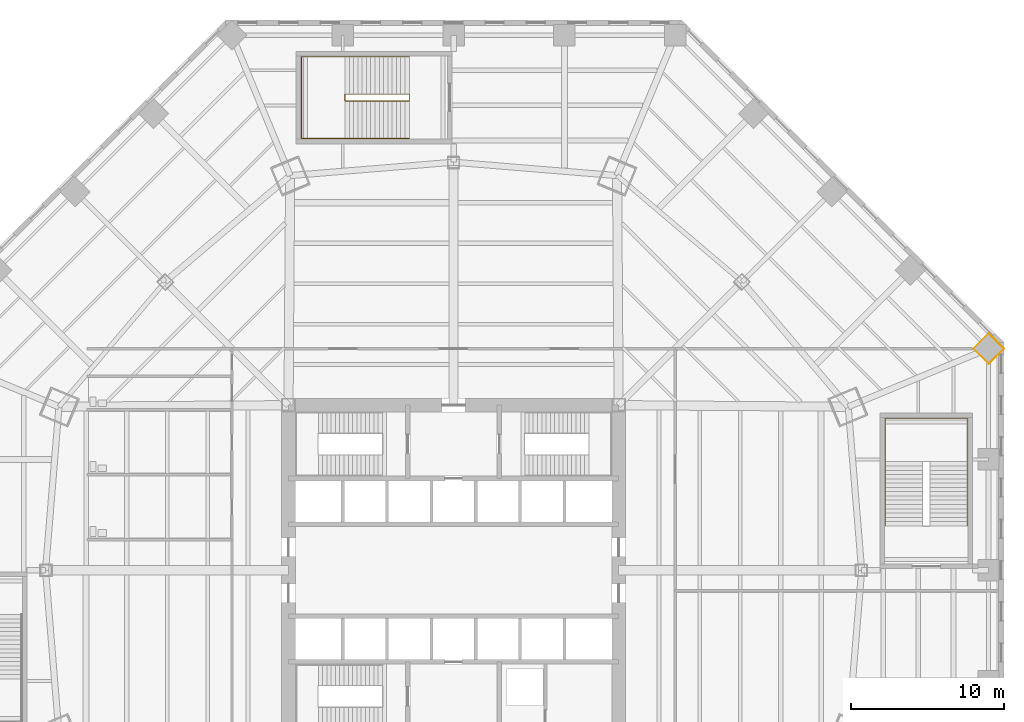
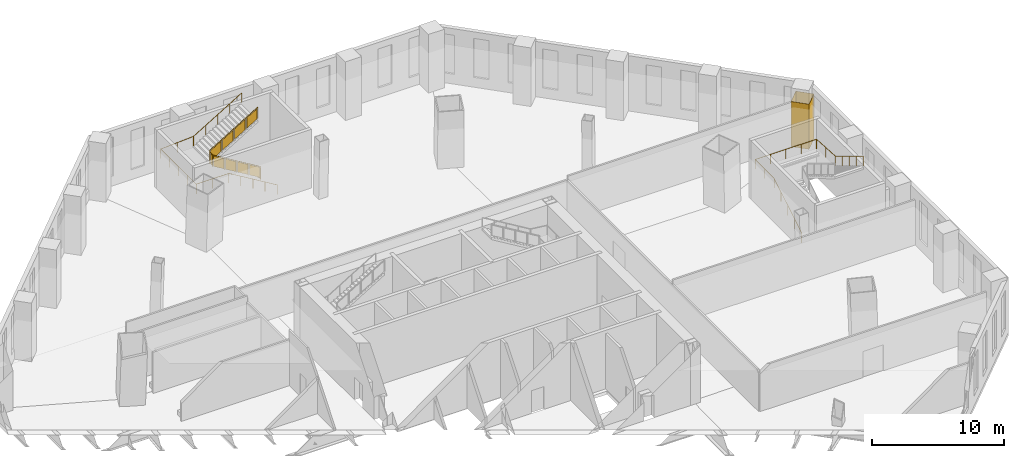
# One storey, part 17 of 18: 3 railings, 1 covering.
"""IFC4 building model written with IfcOpenShell, lengths in metres."""

from ifc_helpers import new_model, si_unit, direction, frame, origin, origin_2d, place, context, subcontext, project, spatial, polyline, circle, outline, extrude, material, layer, layer_set, type_object, element, save


model = new_model("IFC4")

# Units and contexts
model_context = context("Model", 3, precision=1e-05, world=origin(), true_north=direction((0.0, 1.0)))
body_context = subcontext(model_context, "Body", "Model", "MODEL_VIEW")
ifc_project = project(units=[si_unit("LENGTHUNIT", "METRE"), si_unit("AREAUNIT", "SQUARE_METRE"), si_unit("VOLUMEUNIT", "CUBIC_METRE"), si_unit("PLANEANGLEUNIT", "RADIAN"), si_unit("MASSUNIT", "GRAM", prefix="KILO")], contexts=[model_context])

# Site, building, storey
site_placement = place(None, origin())
site = spatial("IfcSite", under=ifc_project, at=site_placement, CompositionType="ELEMENT")
building_placement = place(site_placement, origin())
building = spatial("IfcBuilding", under=site, at=building_placement, Name="Mashrafa Tower", CompositionType="ELEMENT")
storey_placement = place(building_placement, frame((0.0, 0.0, 18.60009765625)))
storey = spatial("IfcBuildingStorey", under=building, at=storey_placement, Name="L03", CompositionType="ELEMENT", Elevation=18.60009765625)

# Covering
ifc_material_1 = material(Name="Gypsum board")
ifc_layer = layer(ifc_material_1, 0.014892578125)
ifc_layer_set = layer_set([ifc_layer], Name="Column casing plasterboard 15")
covering_type = type_object("IfcCoveringType", Name="Column casing plasterboard 15", PredefinedType="CLADDING", material=ifc_layer_set)
covering_placement = place(storey_placement, origin())
element("IfcCovering", 1, at=covering_placement, inside=storey, type_object=covering_type, Name="Column casing L03-001", PredefinedType="CLADDING", context=body_context, shape_type="SweptSolid", body=[
    extrude(outline(polyline([(33.98876953125, 14.49755859375), (35.0, 15.508544921875), (36.01123046875, 14.49755859375), (35.0, 13.486328125), (33.98876953125, 14.49755859375)]), holes=[polyline([(35.989990234375, 14.49755859375), (35.0, 15.4873046875), (34.010009765625, 14.49755859375), (35.0, 13.507568359375), (35.989990234375, 14.49755859375)])]), origin(), (0.0, 0.0, 1.0), 4.162841796875),
])

# Railings
ifc_material_2 = material(Name="Steel guard with glass infill", Category="steel")
railing_type_1 = type_object("IfcRailingType", Name="Stair guard 1100", PredefinedType="GUARDRAIL", material=ifc_material_2)
railing_1_placement = place(storey_placement, frame((-2.89990234375, 31.14990234375, 0.0)))
element("IfcRailing", 2, at=railing_1_placement, inside=storey, type_object=railing_type_1, Name="Stair P2 guard L03", PredefinedType="GUARDRAIL", context=body_context, shape_type="SweptSolid", body=[
    extrude(circle(Radius=0.02392578125, at=origin_2d()), frame((0.0, 0.0, 1.076171875), z_axis=(0.0, -1.0, 0.0), x_axis=(1.0, 0.0, 0.0)), (0.0, 0.0, 1.0), 0.449951171875),
    extrude(circle(Radius=0.02392578125, at=origin_2d()), frame((0.0, -0.449951171875, 1.076171875), z_axis=(0.0, 0.0, 1.0), x_axis=(1.0, 0.0, 0.0)), (0.0, 0.0, 1.0), 0.168701171875),
    extrude(circle(Radius=0.02392578125, at=origin_2d()), frame((0.0, -0.449951171875, 1.24462890625), z_axis=(-0.856489757249, 0.0, 0.516164020179), x_axis=(0.0, -1.0, 0.0)), (0.0, 0.0, 1.0), 4.904052734375),
    extrude(circle(Radius=0.02392578125, at=origin_2d()), frame((-4.2001953125, -0.449951171875, 3.77587890625), z_axis=(0.0, 1.0, 0.0), x_axis=(-1.0, 0.0, 0.0)), (0.0, 0.0, 1.0), 0.449951171875),
    extrude(circle(Radius=0.02392578125, at=origin_2d()), frame((-4.2001953125, 0.0, 3.77587890625), z_axis=(0.0, 0.0, 1.0), x_axis=(1.0, 0.0, 0.0)), (0.0, 0.0, 1.0), 0.168701171875),
    extrude(circle(Radius=0.02392578125, at=origin_2d()), frame((-4.2001953125, 0.0, 3.94482421875), z_axis=(0.856489757249, 0.0, 0.516164020179), x_axis=(0.0, 1.0, 0.0)), (0.0, 0.0, 1.0), 4.904052734375),
    extrude(circle(Radius=0.02099609375, at=origin_2d()), origin(), (0.0, 0.0, 1.0), 1.052001953125),
    extrude(circle(Radius=0.02099609375, at=origin_2d()), frame((0.0, -0.449951171875, 0.0)), (0.0, 0.0, 1.0), 1.052001953125),
    extrude(circle(Radius=0.02099609375, at=origin_2d()), frame((0.0, -0.449951171875, 0.168701171875)), (0.0, 0.0, 1.0), 1.052001953125),
    extrude(circle(Radius=0.02099609375, at=origin_2d()), frame((-1.050048828125, -0.449951171875, 0.801513671875)), (0.0, 0.0, 1.0), 1.052001953125),
    extrude(circle(Radius=0.02099609375, at=origin_2d()), frame((-2.10009765625, -0.449951171875, 1.434326171875)), (0.0, 0.0, 1.0), 1.052001953125),
    extrude(circle(Radius=0.02099609375, at=origin_2d()), frame((-3.150146484375, -0.449951171875, 2.067138671875)), (0.0, 0.0, 1.0), 1.052001953125),
    extrude(circle(Radius=0.02099609375, at=origin_2d()), frame((-4.2001953125, -0.449951171875, 2.699951171875)), (0.0, 0.0, 1.0), 1.052001953125),
    extrude(circle(Radius=0.02099609375, at=origin_2d()), frame((-4.2001953125, 0.0, 2.699951171875)), (0.0, 0.0, 1.0), 1.052001953125),
    extrude(circle(Radius=0.02099609375, at=origin_2d()), frame((-4.2001953125, 0.0, 2.86865234375)), (0.0, 0.0, 1.0), 1.052001953125),
    extrude(circle(Radius=0.02099609375, at=origin_2d()), frame((-3.150146484375, 0.0, 3.50146484375)), (0.0, 0.0, 1.0), 1.052001953125),
    extrude(circle(Radius=0.02099609375, at=origin_2d()), frame((-2.10009765625, 0.0, 4.13427734375)), (0.0, 0.0, 1.0), 1.052001953125),
    extrude(circle(Radius=0.02099609375, at=origin_2d()), frame((-1.050048828125, 0.0, 4.76708984375)), (0.0, 0.0, 1.0), 1.052001953125),
    extrude(circle(Radius=0.02099609375, at=origin_2d()), frame((0.0, 0.0, 5.39990234375)), (0.0, 0.0, 1.0), 1.052001953125),
    extrude(outline(polyline([(0.071044921875, 0.050048828125), (0.37890625, 0.050048828125), (0.37890625, 1.001953125), (0.071044921875, 1.001953125), (0.071044921875, 0.050048828125)])), frame((-0.006103515625, 0.0, 0.0), z_axis=(-1.0, 0.0, 0.0), x_axis=(0.0, -1.0, 0.0)), (0.0, 0.0, 1.0), 0.011962890625),
    extrude(outline(polyline([(0.071044921875, 0.0927734375), (0.97900390625, 0.64013671875), (0.97900390625, 1.592041015625), (0.071044921875, 1.044677734375), (0.071044921875, 0.0927734375)])), frame((0.0, -0.44384765625, 0.168701171875), z_axis=(0.0, 1.0, 0.0), x_axis=(-1.0, 0.0, 0.0)), (0.0, 0.0, 1.0), 0.011962890625),
    extrude(outline(polyline([(1.12109375, 0.7255859375), (2.029052734375, 1.27294921875), (2.029052734375, 2.224853515625), (1.12109375, 1.677490234375), (1.12109375, 0.7255859375)])), frame((0.0, -0.44384765625, 0.168701171875), z_axis=(0.0, 1.0, 0.0), x_axis=(-1.0, 0.0, 0.0)), (0.0, 0.0, 1.0), 0.011962890625),
    extrude(outline(polyline([(2.171142578125, 1.3583984375), (3.0791015625, 1.90576171875), (3.0791015625, 2.857666015625), (2.171142578125, 2.310302734375), (2.171142578125, 1.3583984375)])), frame((0.0, -0.44384765625, 0.168701171875), z_axis=(0.0, 1.0, 0.0), x_axis=(-1.0, 0.0, 0.0)), (0.0, 0.0, 1.0), 0.011962890625),
    extrude(outline(polyline([(3.22119140625, 1.9912109375), (4.129150390625, 2.53857421875), (4.129150390625, 3.490478515625), (3.22119140625, 2.943115234375), (3.22119140625, 1.9912109375)])), frame((0.0, -0.44384765625, 0.168701171875), z_axis=(0.0, 1.0, 0.0), x_axis=(-1.0, 0.0, 0.0)), (0.0, 0.0, 1.0), 0.011962890625),
    extrude(outline(polyline([(0.071044921875, 0.050048828125), (0.37890625, 0.050048828125), (0.37890625, 1.001953125), (0.071044921875, 1.001953125), (0.071044921875, 0.050048828125)])), frame((-4.194091796875, -0.449951171875, 2.699951171875), z_axis=(1.0, 0.0, 0.0), x_axis=(0.0, 1.0, 0.0)), (0.0, 0.0, 1.0), 0.011962890625),
    extrude(outline(polyline([(0.071044921875, 0.0927734375), (0.97900390625, 0.64013671875), (0.97900390625, 1.592041015625), (0.071044921875, 1.044677734375), (0.071044921875, 0.0927734375)])), frame((-4.2001953125, -0.006103515625, 2.86865234375), z_axis=(0.0, -1.0, 0.0), x_axis=(1.0, 0.0, 0.0)), (0.0, 0.0, 1.0), 0.011962890625),
    extrude(outline(polyline([(1.12109375, 0.7255859375), (2.029052734375, 1.27294921875), (2.029052734375, 2.224853515625), (1.12109375, 1.677490234375), (1.12109375, 0.7255859375)])), frame((-4.2001953125, -0.006103515625, 2.86865234375), z_axis=(0.0, -1.0, 0.0), x_axis=(1.0, 0.0, 0.0)), (0.0, 0.0, 1.0), 0.011962890625),
    extrude(outline(polyline([(2.171142578125, 1.3583984375), (3.0791015625, 1.90576171875), (3.0791015625, 2.857666015625), (2.171142578125, 2.310302734375), (2.171142578125, 1.3583984375)])), frame((-4.2001953125, -0.006103515625, 2.86865234375), z_axis=(0.0, -1.0, 0.0), x_axis=(1.0, 0.0, 0.0)), (0.0, 0.0, 1.0), 0.011962890625),
    extrude(outline(polyline([(3.22119140625, 1.9912109375), (4.129150390625, 2.53857421875), (4.129150390625, 3.490478515625), (3.22119140625, 2.943115234375), (3.22119140625, 1.9912109375)])), frame((-4.2001953125, -0.006103515625, 2.86865234375), z_axis=(0.0, -1.0, 0.0), x_axis=(1.0, 0.0, 0.0)), (0.0, 0.0, 1.0), 0.011962890625),
])
ifc_material_3 = material(Name="Steel", Category="steel")
railing_type_2 = type_object("IfcRailingType", Name="Stair handrail 900", PredefinedType="HANDRAIL", material=ifc_material_3)
railing_2_placement = place(storey_placement, frame((28.25, 2.89990234375, 0.168701171875)))
element("IfcRailing", 3, at=railing_2_placement, inside=storey, type_object=railing_type_2, Name="Stair P1 handrail L03", PredefinedType="HANDRAIL", context=body_context, shape_type="SweptSolid", body=[
    extrude(circle(Radius=0.02392578125, at=origin_2d()), frame((0.0, 0.0, 0.8759765625), z_axis=(0.0, 0.856489757249, 0.516164020179), x_axis=(-1.0, 0.0, 0.0)), (0.0, 0.0, 1.0), 4.904052734375),
    extrude(circle(Radius=0.02392578125, at=origin_2d()), frame((0.0, 4.2001953125, 3.4072265625), z_axis=(0.0, 1.0, 0.0), x_axis=(-1.0, 0.0, 0.0)), (0.0, 0.0, 1.0), 2.849853515625),
    extrude(circle(Radius=0.02392578125, at=origin_2d()), frame((0.0, 7.050048828125, 3.4072265625), z_axis=(1.0, 0.0, 0.0), x_axis=(0.0, 1.0, 0.0)), (0.0, 0.0, 1.0), 5.35009765625),
    extrude(circle(Radius=0.02392578125, at=origin_2d()), frame((5.35009765625, 7.050048828125, 3.4072265625), z_axis=(0.0, -0.998252482393, 0.059092989406), x_axis=(1.0, 0.0, 0.0)), (0.0, 0.0, 1.0), 2.854736328125),
    extrude(circle(Radius=0.02392578125, at=origin_2d()), frame((5.35009765625, 4.2001953125, 3.57568359375), z_axis=(0.0, -0.856489757249, 0.516164020179), x_axis=(1.0, 0.0, 0.0)), (0.0, 0.0, 1.0), 4.904052734375),
    extrude(circle(Radius=0.02099609375, at=origin_2d()), origin(), (0.0, 0.0, 1.0), 0.851806640625),
    extrude(circle(Radius=0.02099609375, at=origin_2d()), frame((0.0, 1.050048828125, 0.6328125)), (0.0, 0.0, 1.0), 0.851806640625),
    extrude(circle(Radius=0.02099609375, at=origin_2d()), frame((0.0, 2.10009765625, 1.265625)), (0.0, 0.0, 1.0), 0.851806640625),
    extrude(circle(Radius=0.02099609375, at=origin_2d()), frame((0.0, 3.150146484375, 1.8984375)), (0.0, 0.0, 1.0), 0.851806640625),
    extrude(circle(Radius=0.02099609375, at=origin_2d()), frame((0.0, 4.2001953125, 2.53125)), (0.0, 0.0, 1.0), 0.851806640625),
    extrude(circle(Radius=0.02099609375, at=origin_2d()), frame((0.0, 5.625, 2.53125)), (0.0, 0.0, 1.0), 0.851806640625),
    extrude(circle(Radius=0.02099609375, at=origin_2d()), frame((0.0, 7.050048828125, 2.53125)), (0.0, 0.0, 1.0), 0.851806640625),
    extrude(circle(Radius=0.02099609375, at=origin_2d()), frame((1.33740234375, 7.050048828125, 2.53125)), (0.0, 0.0, 1.0), 0.851806640625),
    extrude(circle(Radius=0.02099609375, at=origin_2d()), frame((2.675048828125, 7.050048828125, 2.53125)), (0.0, 0.0, 1.0), 0.851806640625),
    extrude(circle(Radius=0.02099609375, at=origin_2d()), frame((4.0126953125, 7.050048828125, 2.53125)), (0.0, 0.0, 1.0), 0.851806640625),
    extrude(circle(Radius=0.02099609375, at=origin_2d()), frame((5.35009765625, 7.050048828125, 2.53125)), (0.0, 0.0, 1.0), 0.851806640625),
    extrude(circle(Radius=0.02099609375, at=origin_2d()), frame((5.35009765625, 5.625, 2.61572265625)), (0.0, 0.0, 1.0), 0.851806640625),
    extrude(circle(Radius=0.02099609375, at=origin_2d()), frame((5.35009765625, 4.2001953125, 2.699951171875)), (0.0, 0.0, 1.0), 0.851806640625),
    extrude(circle(Radius=0.02099609375, at=origin_2d()), frame((5.35009765625, 3.150146484375, 3.332763671875)), (0.0, 0.0, 1.0), 0.851806640625),
    extrude(circle(Radius=0.02099609375, at=origin_2d()), frame((5.35009765625, 2.10009765625, 3.965576171875)), (0.0, 0.0, 1.0), 0.851806640625),
    extrude(circle(Radius=0.02099609375, at=origin_2d()), frame((5.35009765625, 1.050048828125, 4.598388671875)), (0.0, 0.0, 1.0), 0.851806640625),
    extrude(circle(Radius=0.02099609375, at=origin_2d()), frame((5.35009765625, 0.0, 5.231201171875)), (0.0, 0.0, 1.0), 0.851806640625),
])
railing_3_placement = place(storey_placement, frame((-2.89990234375, 28.25, 0.168701171875)))
element("IfcRailing", 4, at=railing_3_placement, inside=storey, type_object=railing_type_2, Name="Stair P2 handrail L03", PredefinedType="HANDRAIL", context=body_context, shape_type="SweptSolid", body=[
    extrude(circle(Radius=0.02392578125, at=origin_2d()), frame((0.0, 0.0, 0.8759765625), z_axis=(-0.856489757249, 0.0, 0.516164020179), x_axis=(0.0, -1.0, 0.0)), (0.0, 0.0, 1.0), 4.904052734375),
    extrude(circle(Radius=0.02392578125, at=origin_2d()), frame((-4.2001953125, 0.0, 3.4072265625), z_axis=(-1.0, 0.0, 0.0), x_axis=(0.0, -1.0, 0.0)), (0.0, 0.0, 1.0), 2.849853515625),
    extrude(circle(Radius=0.02392578125, at=origin_2d()), frame((-7.050048828125, 0.0, 3.4072265625), z_axis=(0.0, 1.0, 0.0), x_axis=(-1.0, 0.0, 0.0)), (0.0, 0.0, 1.0), 5.35009765625),
    extrude(circle(Radius=0.02392578125, at=origin_2d()), frame((-7.050048828125, 5.35009765625, 3.4072265625), z_axis=(0.998252482393, 0.0, 0.059092989406), x_axis=(0.0, 1.0, 0.0)), (0.0, 0.0, 1.0), 2.854736328125),
    extrude(circle(Radius=0.02392578125, at=origin_2d()), frame((-4.2001953125, 5.35009765625, 3.57568359375), z_axis=(0.856489757249, 0.0, 0.516164020179), x_axis=(0.0, 1.0, 0.0)), (0.0, 0.0, 1.0), 4.904052734375),
    extrude(circle(Radius=0.02099609375, at=origin_2d()), origin(), (0.0, 0.0, 1.0), 0.851806640625),
    extrude(circle(Radius=0.02099609375, at=origin_2d()), frame((-1.050048828125, 0.0, 0.6328125)), (0.0, 0.0, 1.0), 0.851806640625),
    extrude(circle(Radius=0.02099609375, at=origin_2d()), frame((-2.10009765625, 0.0, 1.265625)), (0.0, 0.0, 1.0), 0.851806640625),
    extrude(circle(Radius=0.02099609375, at=origin_2d()), frame((-3.150146484375, 0.0, 1.8984375)), (0.0, 0.0, 1.0), 0.851806640625),
    extrude(circle(Radius=0.02099609375, at=origin_2d()), frame((-4.2001953125, 0.0, 2.53125)), (0.0, 0.0, 1.0), 0.851806640625),
    extrude(circle(Radius=0.02099609375, at=origin_2d()), frame((-5.625, 0.0, 2.53125)), (0.0, 0.0, 1.0), 0.851806640625),
    extrude(circle(Radius=0.02099609375, at=origin_2d()), frame((-7.050048828125, 0.0, 2.53125)), (0.0, 0.0, 1.0), 0.851806640625),
    extrude(circle(Radius=0.02099609375, at=origin_2d()), frame((-7.050048828125, 1.33740234375, 2.53125)), (0.0, 0.0, 1.0), 0.851806640625),
    extrude(circle(Radius=0.02099609375, at=origin_2d()), frame((-7.050048828125, 2.675048828125, 2.53125)), (0.0, 0.0, 1.0), 0.851806640625),
    extrude(circle(Radius=0.02099609375, at=origin_2d()), frame((-7.050048828125, 4.0126953125, 2.53125)), (0.0, 0.0, 1.0), 0.851806640625),
    extrude(circle(Radius=0.02099609375, at=origin_2d()), frame((-7.050048828125, 5.35009765625, 2.53125)), (0.0, 0.0, 1.0), 0.851806640625),
    extrude(circle(Radius=0.02099609375, at=origin_2d()), frame((-5.625, 5.35009765625, 2.61572265625)), (0.0, 0.0, 1.0), 0.851806640625),
    extrude(circle(Radius=0.02099609375, at=origin_2d()), frame((-4.2001953125, 5.35009765625, 2.699951171875)), (0.0, 0.0, 1.0), 0.851806640625),
    extrude(circle(Radius=0.02099609375, at=origin_2d()), frame((-3.150146484375, 5.35009765625, 3.332763671875)), (0.0, 0.0, 1.0), 0.851806640625),
    extrude(circle(Radius=0.02099609375, at=origin_2d()), frame((-2.10009765625, 5.35009765625, 3.965576171875)), (0.0, 0.0, 1.0), 0.851806640625),
    extrude(circle(Radius=0.02099609375, at=origin_2d()), frame((-1.050048828125, 5.35009765625, 4.598388671875)), (0.0, 0.0, 1.0), 0.851806640625),
    extrude(circle(Radius=0.02099609375, at=origin_2d()), frame((0.0, 5.35009765625, 5.231201171875)), (0.0, 0.0, 1.0), 0.851806640625),
])

save(model, "model.ifc")
